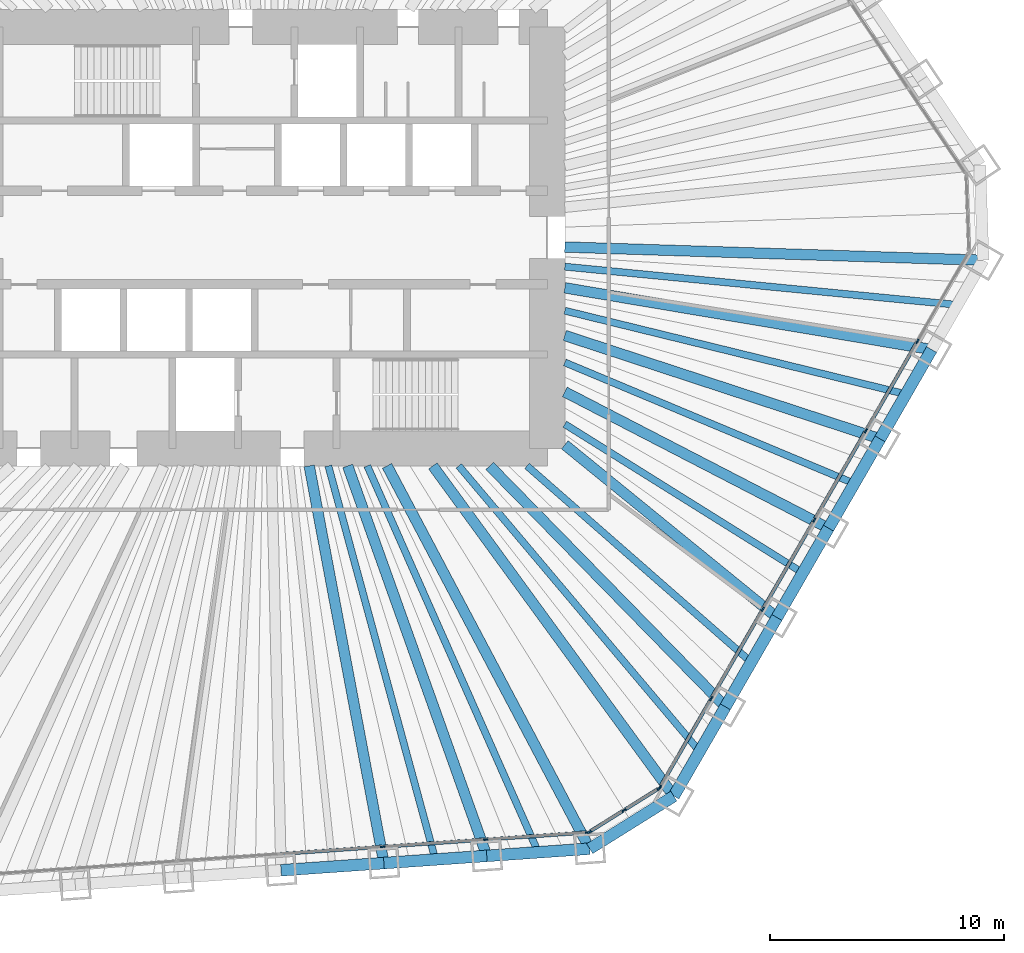
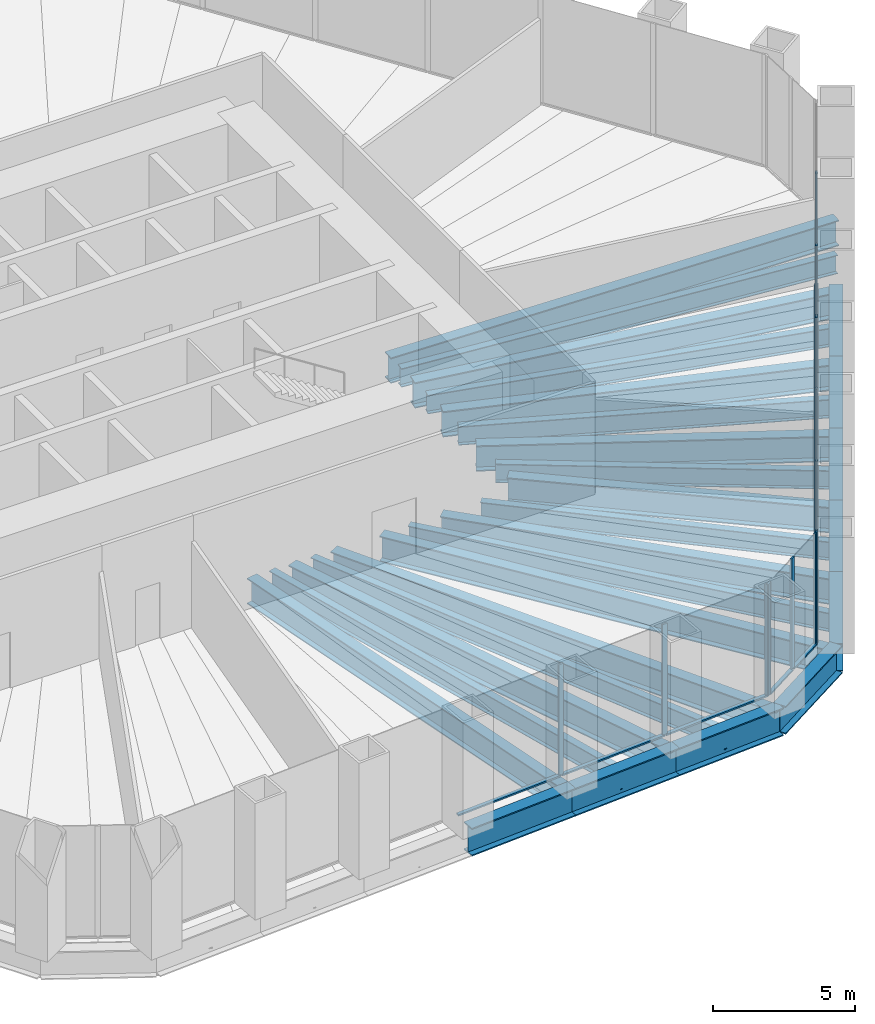
# One storey, part 4 of 13: 27 beams, 22 members, 3 elements without a shape of their own.
"""IFC4 building model written with IfcOpenShell, lengths in metres."""

from ifc_helpers import new_model, si_unit, direction, frame, origin, origin_2d, place, context, subcontext, project, spatial, rectangle, i_section, extrude, material, material_profile, profile_set, type_object, element, aggregate, save


model = new_model("IFC4")

# Units and contexts
model_context = context("Model", 3, precision=1e-05, world=origin(), true_north=direction((0.0, 1.0)))
body_context = subcontext(model_context, "Body", "Model", "MODEL_VIEW")
ifc_project = project(units=[si_unit("LENGTHUNIT", "METRE"), si_unit("AREAUNIT", "SQUARE_METRE"), si_unit("VOLUMEUNIT", "CUBIC_METRE"), si_unit("PLANEANGLEUNIT", "RADIAN"), si_unit("MASSUNIT", "GRAM", prefix="KILO")], contexts=[model_context])

# Site, building, storey
site_placement = place(None, origin())
site = spatial("IfcSite", under=ifc_project, at=site_placement, CompositionType="ELEMENT")
building_placement = place(site_placement, origin())
building = spatial("IfcBuilding", under=site, at=building_placement, Name="Qingtian Harvest Tower", CompositionType="ELEMENT")
storey_placement = place(building_placement, frame((0.0, 0.0, 47.0)))
storey = spatial("IfcBuildingStorey", under=building, at=storey_placement, Name="L09", CompositionType="ELEMENT", Elevation=47.0)

# Beams
ifc_material_1 = material(Name="Steel SM570MC", Category="steel")
ifc_material_profile_1 = material_profile(ifc_material_1, i_section(OverallWidth=0.449951171875, OverallDepth=1.10009765625, WebThickness=0.02197265625, FlangeThickness=0.044921875, at=origin_2d()), Name="H1100x450x22x45")
ifc_profile_set_1 = profile_set([ifc_material_profile_1], Name="Steel SM570MC")
beam_type_1 = type_object("IfcBeamType", Name="Corner floor beam FB8 H1100x450x22x45", PredefinedType="BEAM", material=ifc_profile_set_1)
beam_1_placement = place(storey_placement, frame((30.618408203125, -0.96728515625, -0.75), z_axis=(-0.999501426546, 0.031573696842, 0.0), x_axis=(-0.031573696842, -0.999501426546, 0.0)))
element("IfcBeam", 1, at=beam_1_placement, inside=storey, type_object=beam_type_1, Name="Floor beam FB8 SE0", PredefinedType="BEAM", context=body_context, shape_type="SweptSolid", body=[
    extrude(i_section(OverallWidth=0.449951171875, OverallDepth=1.10009765625, WebThickness=0.02197265625, FlangeThickness=0.044921875, at=origin_2d()), origin(), (0.0, 0.0, 1.0), 17.87744140625),
])
beam_2_placement = place(storey_placement, frame((17.404541015625, -23.854248046875, -0.75), z_axis=(-0.58941234871, 0.807832336062, 0.0), x_axis=(-0.807832336062, -0.58941234871, 0.0)))
element("IfcBeam", 2, at=beam_2_placement, inside=storey, type_object=beam_type_1, Name="Floor beam FB8 SE6", PredefinedType="BEAM", context=body_context, shape_type="SweptSolid", body=[
    extrude(i_section(OverallWidth=0.449951171875, OverallDepth=1.10009765625, WebThickness=0.02197265625, FlangeThickness=0.044921875, at=origin_2d()), origin(), (0.0, 0.0, 1.0), 17.45947265625),
])
beam_3_placement = place(storey_placement, frame((13.810546875, -26.10009765625, -0.75), z_axis=(-0.467705182679, 0.883884529843, 0.0), x_axis=(-0.883884529843, -0.467705182679, 0.0)))
element("IfcBeam", 3, at=beam_3_placement, inside=storey, type_object=beam_type_1, Name="Floor beam FB8 S0", PredefinedType="BEAM", context=body_context, shape_type="SweptSolid", body=[
    extrude(i_section(OverallWidth=0.449951171875, OverallDepth=1.10009765625, WebThickness=0.02197265625, FlangeThickness=0.044921875, at=origin_2d()), origin(), (0.0, 0.0, 1.0), 18.498046875),
])
ifc_material_2 = material(Name="Steel SM570MC", Category="steel")
ifc_material_profile_2 = material_profile(ifc_material_2, i_section(OverallWidth=0.449951171875, OverallDepth=1.10009765625, WebThickness=0.02197265625, FlangeThickness=0.044921875, at=origin_2d()), Name="H1100x450x22x45")
ifc_profile_set_2 = profile_set([ifc_material_profile_2], Name="Steel SM570MC")
beam_type_2 = type_object("IfcBeamType", Name="Floor beam FB1 H1100x450x22x45", PredefinedType="BEAM", material=ifc_profile_set_2)
beam_4_placement = place(storey_placement, frame((28.416015625, -4.78173828125, -0.75), z_axis=(-0.986135195489, 0.16594389479, 0.0), x_axis=(-0.16594389479, -0.986135195489, 0.0)))
element("IfcBeam", 4, at=beam_4_placement, inside=storey, type_object=beam_type_2, Name="Floor beam FB1 SE1", PredefinedType="BEAM", context=body_context, shape_type="SweptSolid", body=[
    extrude(i_section(OverallWidth=0.449951171875, OverallDepth=1.10009765625, WebThickness=0.02197265625, FlangeThickness=0.044921875, at=origin_2d()), origin(), (0.0, 0.0, 1.0), 15.88623046875),
])
beam_5_placement = place(storey_placement, frame((26.2138671875, -8.596435546875, -0.75), z_axis=(-0.950210724421, 0.311608053803, 0.0), x_axis=(-0.311608053803, -0.950210724421, 0.0)))
element("IfcBeam", 5, at=beam_5_placement, inside=storey, type_object=beam_type_2, Name="Floor beam FB1 SE2", PredefinedType="BEAM", context=body_context, shape_type="SweptSolid", body=[
    extrude(i_section(OverallWidth=0.449951171875, OverallDepth=1.10009765625, WebThickness=0.02197265625, FlangeThickness=0.044921875, at=origin_2d()), origin(), (0.0, 0.0, 1.0), 14.16943359375),
])
beam_6_placement = place(storey_placement, frame((24.011474609375, -12.410888671875, -0.75), z_axis=(-0.888349581519, 0.45916774823, 0.0), x_axis=(-0.45916774823, -0.888349581519, 0.0)))
element("IfcBeam", 6, at=beam_6_placement, inside=storey, type_object=beam_type_2, Name="Floor beam FB1 SE3", PredefinedType="BEAM", context=body_context, shape_type="SweptSolid", body=[
    extrude(i_section(OverallWidth=0.449951171875, OverallDepth=1.10009765625, WebThickness=0.02197265625, FlangeThickness=0.044921875, at=origin_2d()), origin(), (0.0, 0.0, 1.0), 12.6767578125),
])
beam_7_placement = place(storey_placement, frame((21.809326171875, -16.225341796875, -0.75), z_axis=(-0.775504415669, 0.631342142802, 0.0), x_axis=(-0.631342142802, -0.775504415669, 0.0)))
element("IfcBeam", 7, at=beam_7_placement, inside=storey, type_object=beam_type_2, Name="Floor beam FB1 SE4", PredefinedType="BEAM", context=body_context, shape_type="SweptSolid", body=[
    extrude(i_section(OverallWidth=0.449951171875, OverallDepth=1.10009765625, WebThickness=0.02197265625, FlangeThickness=0.044921875, at=origin_2d()), origin(), (0.0, 0.0, 1.0), 11.681884765625),
])
beam_8_placement = place(storey_placement, frame((19.60693359375, -20.039794921875, -0.75), z_axis=(-0.699348221539, 0.714781130858, 0.0), x_axis=(-0.714781130858, -0.699348221539, 0.0)))
element("IfcBeam", 8, at=beam_8_placement, inside=storey, type_object=beam_type_2, Name="Floor beam FB1 SE5", PredefinedType="BEAM", context=body_context, shape_type="SweptSolid", body=[
    extrude(i_section(OverallWidth=0.449951171875, OverallDepth=1.10009765625, WebThickness=0.02197265625, FlangeThickness=0.044921875, at=origin_2d()), origin(), (0.0, 0.0, 1.0), 14.395751953125),
])
beam_9_placement = place(storey_placement, frame((9.41650390625, -26.407470703125, -0.75), z_axis=(-0.33586498155, 0.941910141239, 0.0), x_axis=(-0.941910141239, -0.33586498155, 0.0)))
element("IfcBeam", 9, at=beam_9_placement, inside=storey, type_object=beam_type_2, Name="Floor beam FB1 S1", PredefinedType="BEAM", context=body_context, shape_type="SweptSolid", body=[
    extrude(i_section(OverallWidth=0.449951171875, OverallDepth=1.10009765625, WebThickness=0.02197265625, FlangeThickness=0.044921875, at=origin_2d()), origin(), (0.0, 0.0, 1.0), 17.684814453125),
])
beam_10_placement = place(storey_placement, frame((5.022705078125, -26.714599609375, -0.75), z_axis=(-0.184782942099, 0.98277935688, 0.0), x_axis=(-0.98277935688, -0.184782942099, 0.0)))
element("IfcBeam", 10, at=beam_10_placement, inside=storey, type_object=beam_type_2, Name="Floor beam FB1 S2", PredefinedType="BEAM", context=body_context, shape_type="SweptSolid", body=[
    extrude(i_section(OverallWidth=0.449951171875, OverallDepth=1.10009765625, WebThickness=0.02197265625, FlangeThickness=0.044921875, at=origin_2d()), origin(), (0.0, 0.0, 1.0), 17.261962890625),
])
ifc_material_3 = material(Name="Steel SN490B", Category="steel")
ifc_material_profile_3 = material_profile(ifc_material_3, i_section(OverallWidth=0.300048828125, OverallDepth=0.800048828125, WebThickness=0.013916015625, FlangeThickness=0.02587890625, at=origin_2d()), Name="H800x300x14x26")
ifc_profile_set_3 = profile_set([ifc_material_profile_3], Name="Steel SN490B")
beam_type_3 = type_object("IfcBeamType", Name="Floor joist J1 H800x300x14x26", PredefinedType="JOIST", material=ifc_profile_set_3)
beam_11_placement = place(storey_placement, frame((29.517333984375, -2.87451171875, -0.60009765625), z_axis=(-0.995291970786, 0.096922097011, 0.0), x_axis=(-0.096922097011, -0.995291970786, 0.0)))
element("IfcBeam", 11, at=beam_11_placement, inside=storey, type_object=beam_type_3, Name="Floor joist J1 SE0", PredefinedType="JOIST", context=body_context, shape_type="SweptSolid", body=[
    extrude(i_section(OverallWidth=0.300048828125, OverallDepth=0.800048828125, WebThickness=0.013916015625, FlangeThickness=0.02587890625, at=origin_2d()), origin(), (0.0, 0.0, 1.0), 16.8466796875),
])
beam_12_placement = place(storey_placement, frame((27.31494140625, -6.68896484375, -0.60009765625), z_axis=(-0.971301533706, 0.237851488583, 0.0), x_axis=(-0.237851488583, -0.971301533706, 0.0)))
element("IfcBeam", 12, at=beam_12_placement, inside=storey, type_object=beam_type_3, Name="Floor joist J1 SE1", PredefinedType="JOIST", context=body_context, shape_type="SweptSolid", body=[
    extrude(i_section(OverallWidth=0.300048828125, OverallDepth=0.800048828125, WebThickness=0.013916015625, FlangeThickness=0.02587890625, at=origin_2d()), origin(), (0.0, 0.0, 1.0), 14.995361328125),
])
beam_13_placement = place(storey_placement, frame((25.112548828125, -10.503662109375, -0.60009765625), z_axis=(-0.922550516103, 0.385876334125, 0.0), x_axis=(-0.385876334125, -0.922550516103, 0.0)))
element("IfcBeam", 13, at=beam_13_placement, inside=storey, type_object=beam_type_3, Name="Floor joist J1 SE2", PredefinedType="JOIST", context=body_context, shape_type="SweptSolid", body=[
    extrude(i_section(OverallWidth=0.300048828125, OverallDepth=0.800048828125, WebThickness=0.013916015625, FlangeThickness=0.02587890625, at=origin_2d()), origin(), (0.0, 0.0, 1.0), 13.400390625),
])
beam_14_placement = place(storey_placement, frame((22.910400390625, -14.318115234375, -0.60009765625), z_axis=(-0.848013185461, 0.52997512893, 0.0), x_axis=(-0.52997512893, -0.848013185461, 0.0)))
element("IfcBeam", 14, at=beam_14_placement, inside=storey, type_object=beam_type_3, Name="Floor joist J1 SE3", PredefinedType="JOIST", context=body_context, shape_type="SweptSolid", body=[
    extrude(i_section(OverallWidth=0.300048828125, OverallDepth=0.800048828125, WebThickness=0.013916015625, FlangeThickness=0.02587890625, at=origin_2d()), origin(), (0.0, 0.0, 1.0), 11.9814453125),
])
beam_15_placement = place(storey_placement, frame((20.7080078125, -18.132568359375, -0.60009765625), z_axis=(-0.75234369212, 0.658770801514, 0.0), x_axis=(-0.658770801514, -0.75234369212, 0.0)))
element("IfcBeam", 15, at=beam_15_placement, inside=storey, type_object=beam_type_3, Name="Floor joist J1 SE4", PredefinedType="JOIST", context=body_context, shape_type="SweptSolid", body=[
    extrude(i_section(OverallWidth=0.300048828125, OverallDepth=0.800048828125, WebThickness=0.013916015625, FlangeThickness=0.02587890625, at=origin_2d()), origin(), (0.0, 0.0, 1.0), 12.724609375),
])
beam_16_placement = place(storey_placement, frame((18.505859375, -21.947021484375, -0.60009765625), z_axis=(-0.644630398038, 0.76449437534, 0.0), x_axis=(-0.76449437534, -0.644630398038, 0.0)))
element("IfcBeam", 16, at=beam_16_placement, inside=storey, type_object=beam_type_3, Name="Floor joist J1 SE5", PredefinedType="JOIST", context=body_context, shape_type="SweptSolid", body=[
    extrude(i_section(OverallWidth=0.300048828125, OverallDepth=0.800048828125, WebThickness=0.013916015625, FlangeThickness=0.02587890625, at=origin_2d()), origin(), (0.0, 0.0, 1.0), 15.954345703125),
])
beam_17_placement = place(storey_placement, frame((11.613525390625, -26.25390625, -0.60009765625), z_axis=(-0.404539958959, 0.914520323233, 0.0), x_axis=(-0.914520323233, -0.404539958959, 0.0)))
element("IfcBeam", 17, at=beam_17_placement, inside=storey, type_object=beam_type_3, Name="Floor joist J1 S0", PredefinedType="JOIST", context=body_context, shape_type="SweptSolid", body=[
    extrude(i_section(OverallWidth=0.300048828125, OverallDepth=0.800048828125, WebThickness=0.013916015625, FlangeThickness=0.02587890625, at=origin_2d()), origin(), (0.0, 0.0, 1.0), 18.046630859375),
])
beam_18_placement = place(storey_placement, frame((7.2197265625, -26.56103515625, -0.60009765625), z_axis=(-0.262302659247, 0.964985655309, 0.0), x_axis=(-0.964985655309, -0.262302659247, 0.0)))
element("IfcBeam", 18, at=beam_18_placement, inside=storey, type_object=beam_type_3, Name="Floor joist J1 S1", PredefinedType="JOIST", context=body_context, shape_type="SweptSolid", body=[
    extrude(i_section(OverallWidth=0.300048828125, OverallDepth=0.800048828125, WebThickness=0.013916015625, FlangeThickness=0.02587890625, at=origin_2d()), origin(), (0.0, 0.0, 1.0), 17.421142578125),
])

# Curtain wall, members
ifc_material_4 = material(Name="Bronze-anodised aluminium curtain wall", Category="aluminium")
curtain_wall_type = type_object("IfcCurtainWallType", Name="Curtain wall CW2 farm reception", PredefinedType="USERDEFINED", material=ifc_material_4)
curtain_wall_1_placement = place(storey_placement, origin())
curtain_wall_1 = element("IfcCurtainWall", 19, at=curtain_wall_1_placement, inside=storey, type_object=curtain_wall_type, Name="Curtain wall CW2 L09 SE0-5", ObjectType="RECESSED CURTAIN WALL", PredefinedType="USERDEFINED")
ifc_material_5 = material(Name="Bronze-anodised aluminium mullion", Category="aluminium")
ifc_material_profile_4 = material_profile(ifc_material_5, rectangle(XDim=0.06494140625, YDim=0.199951171875, at=origin_2d()), Name="AL 65x200")
ifc_profile_set_4 = profile_set([ifc_material_profile_4], Name="Bronze-anodised aluminium mullion")
member_type_1 = type_object("IfcMemberType", Name="Mullion CWM 65x200", PredefinedType="MULLION", material=ifc_profile_set_4)
member_1_placement = place(storey_placement, frame((27.809814453125, -4.431884765625, 0.0), z_axis=(0.0, 0.0, 1.0), x_axis=(0.866025403784, -0.5, 0.0)))
member_1 = element("IfcMember", 20, at=member_1_placement, type_object=member_type_1, Name="CW2 mullion 2", PredefinedType="MULLION", context=body_context, shape_type="SweptSolid", body=[
    extrude(rectangle(XDim=0.06494140625, YDim=0.199951171875, at=origin_2d()), origin(), (0.0, 0.0, 1.0), 4.800048828125),
])
member_2_placement = place(storey_placement, frame((25.607666015625, -8.246337890625, 0.0), z_axis=(0.0, 0.0, 1.0), x_axis=(0.866025403784, -0.5, 0.0)))
member_2 = element("IfcMember", 21, at=member_2_placement, type_object=member_type_1, Name="CW2 mullion 3", PredefinedType="MULLION", context=body_context, shape_type="SweptSolid", body=[
    extrude(rectangle(XDim=0.06494140625, YDim=0.199951171875, at=origin_2d()), origin(), (0.0, 0.0, 1.0), 4.800048828125),
])
member_3_placement = place(storey_placement, frame((23.4052734375, -12.060791015625, 0.0), z_axis=(0.0, 0.0, 1.0), x_axis=(0.866025403784, -0.5, 0.0)))
member_3 = element("IfcMember", 22, at=member_3_placement, type_object=member_type_1, Name="CW2 mullion 4", PredefinedType="MULLION", context=body_context, shape_type="SweptSolid", body=[
    extrude(rectangle(XDim=0.06494140625, YDim=0.199951171875, at=origin_2d()), origin(), (0.0, 0.0, 1.0), 4.800048828125),
])
member_4_placement = place(storey_placement, frame((21.202880859375, -15.875244140625, 0.0), z_axis=(0.0, 0.0, 1.0), x_axis=(0.866025403784, -0.5, 0.0)))
member_4 = element("IfcMember", 23, at=member_4_placement, type_object=member_type_1, Name="CW2 mullion 5", PredefinedType="MULLION", context=body_context, shape_type="SweptSolid", body=[
    extrude(rectangle(XDim=0.06494140625, YDim=0.199951171875, at=origin_2d()), origin(), (0.0, 0.0, 1.0), 4.800048828125),
])
member_5_placement = place(storey_placement, frame((19.000732421875, -19.68994140625, 0.0), z_axis=(0.0, 0.0, 1.0), x_axis=(0.866025403784, -0.5, 0.0)))
member_5 = element("IfcMember", 24, at=member_5_placement, type_object=member_type_1, Name="CW2 mullion 6", PredefinedType="MULLION", context=body_context, shape_type="SweptSolid", body=[
    extrude(rectangle(XDim=0.06494140625, YDim=0.199951171875, at=origin_2d()), origin(), (0.0, 0.0, 1.0), 4.800048828125),
])
member_6_placement = place(storey_placement, frame((16.814697265625, -23.47607421875, 0.0), z_axis=(0.0, 0.0, 1.0), x_axis=(0.866025403784, -0.5, 0.0)))
member_6 = element("IfcMember", 25, at=member_6_placement, type_object=member_type_1, Name="CW2 mullion 7", PredefinedType="MULLION", context=body_context, shape_type="SweptSolid", body=[
    extrude(rectangle(XDim=0.06494140625, YDim=0.199951171875, at=origin_2d()), origin(), (0.0, 0.0, 1.0), 4.800048828125),
])

curtain_wall_2_placement = place(storey_placement, origin())
curtain_wall_2 = element("IfcCurtainWall", 26, at=curtain_wall_2_placement, inside=storey, type_object=curtain_wall_type, Name="Curtain wall CW2 L09 SEC", ObjectType="RECESSED CURTAIN WALL", PredefinedType="USERDEFINED")
member_7_placement = place(storey_placement, frame((16.770751953125, -23.521484375, 0.0), z_axis=(0.0, 0.0, 1.0), x_axis=(0.529919264233, -0.848048096156, 0.0)))
member_7 = element("IfcMember", 27, at=member_7_placement, type_object=member_type_1, Name="CW2 mullion 1", PredefinedType="MULLION", context=body_context, shape_type="SweptSolid", body=[
    extrude(rectangle(XDim=0.06494140625, YDim=0.199951171875, at=origin_2d()), origin(), (0.0, 0.0, 1.0), 4.800048828125),
])
member_8_placement = place(storey_placement, frame((15.280029296875, -24.453125, 0.0), z_axis=(0.0, 0.0, 1.0), x_axis=(0.529919264233, -0.848048096156, 0.0)))
member_8 = element("IfcMember", 28, at=member_8_placement, type_object=member_type_1, Name="CW2 mullion 2", PredefinedType="MULLION", context=body_context, shape_type="SweptSolid", body=[
    extrude(rectangle(XDim=0.06494140625, YDim=0.199951171875, at=origin_2d()), origin(), (0.0, 0.0, 1.0), 4.800048828125),
])
member_9_placement = place(storey_placement, frame((13.789306640625, -25.384765625, 0.0), z_axis=(0.0, 0.0, 1.0), x_axis=(0.529919264233, -0.848048096156, 0.0)))
member_9 = element("IfcMember", 29, at=member_9_placement, type_object=member_type_1, Name="CW2 mullion 3", PredefinedType="MULLION", context=body_context, shape_type="SweptSolid", body=[
    extrude(rectangle(XDim=0.06494140625, YDim=0.199951171875, at=origin_2d()), origin(), (0.0, 0.0, 1.0), 4.800048828125),
])

curtain_wall_3_placement = place(storey_placement, origin())
curtain_wall_3 = element("IfcCurtainWall", 30, at=curtain_wall_3_placement, inside=storey, type_object=curtain_wall_type, Name="Curtain wall CW2 L09 S0-5", ObjectType="RECESSED CURTAIN WALL", PredefinedType="USERDEFINED")
member_10_placement = place(storey_placement, frame((13.729248046875, -25.404296875, 0.0), z_axis=(0.0, 0.0, 1.0), x_axis=(0.069756473744, -0.99756405026, 0.0)))
member_10 = element("IfcMember", 31, at=member_10_placement, type_object=member_type_1, Name="CW2 mullion 1", PredefinedType="MULLION", context=body_context, shape_type="SweptSolid", body=[
    extrude(rectangle(XDim=0.06494140625, YDim=0.199951171875, at=origin_2d()), origin(), (0.0, 0.0, 1.0), 4.800048828125),
])
member_11_placement = place(storey_placement, frame((9.36767578125, -25.709228515625, 0.0), z_axis=(0.0, 0.0, 1.0), x_axis=(0.069756473744, -0.99756405026, 0.0)))
member_11 = element("IfcMember", 32, at=member_11_placement, type_object=member_type_1, Name="CW2 mullion 2", PredefinedType="MULLION", context=body_context, shape_type="SweptSolid", body=[
    extrude(rectangle(XDim=0.06494140625, YDim=0.199951171875, at=origin_2d()), origin(), (0.0, 0.0, 1.0), 4.800048828125),
])
member_12_placement = place(storey_placement, frame((4.973876953125, -26.016357421875, 0.0), z_axis=(0.0, 0.0, 1.0), x_axis=(0.069756473744, -0.99756405026, 0.0)))
member_12 = element("IfcMember", 33, at=member_12_placement, type_object=member_type_1, Name="CW2 mullion 3", PredefinedType="MULLION", context=body_context, shape_type="SweptSolid", body=[
    extrude(rectangle(XDim=0.06494140625, YDim=0.199951171875, at=origin_2d()), origin(), (0.0, 0.0, 1.0), 4.800048828125),
])

# Beams
ifc_material_6 = material(Name="Steel SM570MC", Category="steel")
ifc_material_profile_5 = material_profile(ifc_material_6, i_section(OverallWidth=0.5, OverallDepth=1.199951171875, WebThickness=0.02490234375, FlangeThickness=0.050048828125, at=origin_2d()), Name="H1200x500x25x50")
ifc_profile_set_5 = profile_set([ifc_material_profile_5], Name="Steel SM570MC")
beam_type_4 = type_object("IfcBeamType", Name="Spandrel beam SB1 H1200x500x25x50", PredefinedType="SPANDREL", material=ifc_profile_set_5)
beam_19_placement = place(storey_placement, frame((28.416015625, -4.78173828125, -0.60009765625), z_axis=(-0.499954356739, -0.86605175433, 0.0), x_axis=(0.86605175433, -0.499954356739, 0.0)))
element("IfcBeam", 34, at=beam_19_placement, inside=storey, type_object=beam_type_4, Name="Spandrel SB1 SE1", PredefinedType="SPANDREL", context=body_context, shape_type="SweptSolid", body=[
    extrude(i_section(OverallWidth=0.5, OverallDepth=1.199951171875, WebThickness=0.02490234375, FlangeThickness=0.050048828125, at=origin_2d()), origin(), (0.0, 0.0, 1.0), 4.40478515625),
])
for number, where, z_axis, x_axis, name in (
    (35, (26.2138671875, -8.596435546875, -0.60009765625), (-0.50001992892, -0.866013897511, 0.0), (0.866013897511, -0.50001992892, 0.0), "Spandrel SB1 SE2"),
    (36, (24.011474609375, -12.410888671875, -0.60009765625), (-0.499978356969, -0.866037899034, 0.0), (0.866037899034, -0.499978356969, 0.0), "Spandrel SB1 SE3"),
    (37, (21.809326171875, -16.225341796875, -0.60009765625), (-0.50001992892, -0.866013897511, 0.0), (0.866013897511, -0.50001992892, 0.0), "Spandrel SB1 SE4"),
    (38, (19.60693359375, -20.039794921875, -0.60009765625), (-0.50001992892, -0.866013897511, 0.0), (0.866013897511, -0.50001992892, 0.0), "Spandrel SB1 SE5"),
):
    element("IfcBeam", number, at=place(storey_placement, frame(where, z_axis=z_axis, x_axis=x_axis)), inside=storey, type_object=beam_type_4, Name=name, PredefinedType="SPANDREL", context=body_context, shape_type="SweptSolid", body=[
        extrude(i_section(OverallWidth=0.5, OverallDepth=1.199951171875, WebThickness=0.02490234375, FlangeThickness=0.050048828125, at=origin_2d()), origin(), (0.0, 0.0, 1.0), 4.404541015625),
    ])
beam_20_placement = place(storey_placement, frame((17.404541015625, -23.854248046875, -0.60009765625), z_axis=(-0.848040374245, -0.529931621675, 0.0), x_axis=(0.529931621675, -0.848040374245, 0.0)))
element("IfcBeam", 39, at=beam_20_placement, inside=storey, type_object=beam_type_4, Name="Spandrel SB1 SEC", PredefinedType="SPANDREL", context=body_context, shape_type="SweptSolid", body=[
    extrude(i_section(OverallWidth=0.5, OverallDepth=1.199951171875, WebThickness=0.02490234375, FlangeThickness=0.050048828125, at=origin_2d()), origin(), (0.0, 0.0, 1.0), 4.238037109375),
])
beam_21_placement = place(storey_placement, frame((13.810546875, -26.10009765625, -0.60009765625), z_axis=(-0.997562286406, -0.069781693443, 0.0), x_axis=(0.069781693443, -0.997562286406, 0.0)))
element("IfcBeam", 40, at=beam_21_placement, inside=storey, type_object=beam_type_4, Name="Spandrel SB1 S0", PredefinedType="SPANDREL", context=body_context, shape_type="SweptSolid", body=[
    extrude(i_section(OverallWidth=0.5, OverallDepth=1.199951171875, WebThickness=0.02490234375, FlangeThickness=0.050048828125, at=origin_2d()), origin(), (0.0, 0.0, 1.0), 4.40478515625),
])
for number, where, z_axis, x_axis, name in (
    (41, (9.41650390625, -26.407470703125, -0.60009765625), (-0.997565873714, -0.069730392239, 0.0), (0.069730392239, -0.997565873714, 0.0), "Spandrel SB1 S1"),
    (42, (5.022705078125, -26.714599609375, -0.60009765625), (-0.997562016486, -0.069785551967, 0.0), (0.069785551967, -0.997562016486, 0.0), "Spandrel SB1 S2"),
):
    element("IfcBeam", number, at=place(storey_placement, frame(where, z_axis=z_axis, x_axis=x_axis)), inside=storey, type_object=beam_type_4, Name=name, PredefinedType="SPANDREL", context=body_context, shape_type="SweptSolid", body=[
        extrude(i_section(OverallWidth=0.5, OverallDepth=1.199951171875, WebThickness=0.02490234375, FlangeThickness=0.050048828125, at=origin_2d()), origin(), (0.0, 0.0, 1.0), 4.404541015625),
    ])

# Member
ifc_material_7 = material(Name="Bronze-anodised aluminium transom", Category="aluminium")
ifc_material_profile_6 = material_profile(ifc_material_7, rectangle(XDim=0.14990234375, YDim=0.06494140625, at=origin_2d()), Name="AL 65x150")
ifc_profile_set_6 = profile_set([ifc_material_profile_6], Name="Bronze-anodised aluminium transom")
member_type_2 = type_object("IfcMemberType", Name="Transom CWT 65x150", PredefinedType="USERDEFINED", material=ifc_profile_set_6)
member_13_placement = place(storey_placement, frame((27.793701171875, -4.4599609375, 0.032470703125), z_axis=(-0.500011390128, -0.866018827591, 0.0), x_axis=(0.866018827591, -0.500011390128, 0.0)))
member_13 = element("IfcMember", 43, at=member_13_placement, type_object=member_type_2, Name="CW2 transom 2.1", ObjectType="TRANSOM", PredefinedType="USERDEFINED", context=body_context, shape_type="SweptSolid", body=[
    extrude(rectangle(XDim=0.14990234375, YDim=0.06494140625, at=origin_2d()), origin(), (0.0, 0.0, 1.0), 4.33984375),
])

member_14_placement = place(storey_placement, frame((25.59130859375, -8.2744140625, 0.032470703125), z_axis=(-0.499969196308, -0.866043187574, 0.0), x_axis=(0.866043187574, -0.499969196308, 0.0)))
member_14 = element("IfcMember", 44, at=member_14_placement, type_object=member_type_2, Name="CW2 transom 3.1", ObjectType="TRANSOM", PredefinedType="USERDEFINED", context=body_context, shape_type="SweptSolid", body=[
    extrude(rectangle(XDim=0.14990234375, YDim=0.06494140625, at=origin_2d()), origin(), (0.0, 0.0, 1.0), 4.339599609375),
])

member_15_placement = place(storey_placement, frame((23.38916015625, -12.0888671875, 0.032470703125), z_axis=(-0.500011390128, -0.866018827591, 0.0), x_axis=(0.866018827591, -0.500011390128, 0.0)))
member_15 = element("IfcMember", 45, at=member_15_placement, type_object=member_type_2, Name="CW2 transom 4.1", ObjectType="TRANSOM", PredefinedType="USERDEFINED", context=body_context, shape_type="SweptSolid", body=[
    extrude(rectangle(XDim=0.14990234375, YDim=0.06494140625, at=origin_2d()), origin(), (0.0, 0.0, 1.0), 4.33984375),
])

member_16_placement = place(storey_placement, frame((21.186767578125, -15.903564453125, 0.032470703125), z_axis=(-0.500035751442, -0.866004761696, 0.0), x_axis=(0.866004761696, -0.500035751442, 0.0)))
member_16 = element("IfcMember", 46, at=member_16_placement, type_object=member_type_2, Name="CW2 transom 5.1", ObjectType="TRANSOM", PredefinedType="USERDEFINED", context=body_context, shape_type="SweptSolid", body=[
    extrude(rectangle(XDim=0.14990234375, YDim=0.06494140625, at=origin_2d()), origin(), (0.0, 0.0, 1.0), 4.339599609375),
])

member_17_placement = place(storey_placement, frame((18.984375, -19.718017578125, 0.032470703125), z_axis=(-0.500010313095, -0.866019449435, 0.0), x_axis=(0.866019449435, -0.500010313095, 0.0)))
member_17 = element("IfcMember", 47, at=member_17_placement, type_object=member_type_2, Name="CW2 transom 6.1", ObjectType="TRANSOM", PredefinedType="USERDEFINED", context=body_context, shape_type="SweptSolid", body=[
    extrude(rectangle(XDim=0.14990234375, YDim=0.06494140625, at=origin_2d()), origin(), (0.0, 0.0, 1.0), 4.30712890625),
])

aggregate(curtain_wall_1, [member_1, member_2, member_3, member_4, member_5, member_6, member_13, member_14, member_15, member_16, member_17])

member_18_placement = place(storey_placement, frame((16.7431640625, -23.538818359375, 0.032470703125), z_axis=(-0.848063119425, -0.529895221219, 0.0), x_axis=(0.529895221219, -0.848063119425, 0.0)))
member_18 = element("IfcMember", 48, at=member_18_placement, type_object=member_type_2, Name="CW2 transom 1.1", ObjectType="TRANSOM", PredefinedType="USERDEFINED", context=body_context, shape_type="SweptSolid", body=[
    extrude(rectangle(XDim=0.14990234375, YDim=0.06494140625, at=origin_2d()), origin(), (0.0, 0.0, 1.0), 1.692626953125),
])

member_19_placement = place(storey_placement, frame((15.25244140625, -24.470458984375, 0.032470703125), z_axis=(-0.848103609743, -0.529830413568, 0.0), x_axis=(0.529830413568, -0.848103609743, 0.0)))
member_19 = element("IfcMember", 49, at=member_19_placement, type_object=member_type_2, Name="CW2 transom 2.1", ObjectType="TRANSOM", PredefinedType="USERDEFINED", context=body_context, shape_type="SweptSolid", body=[
    extrude(rectangle(XDim=0.14990234375, YDim=0.06494140625, at=origin_2d()), origin(), (0.0, 0.0, 1.0), 1.69287109375),
])

aggregate(curtain_wall_2, [member_7, member_8, member_9, member_18, member_19])

member_20_placement = place(storey_placement, frame((13.69677734375, -25.406494140625, 0.032470703125), z_axis=(-0.997566581753, -0.069720262262, 0.0), x_axis=(0.069720262262, -0.997566581753, 0.0)))
member_20 = element("IfcMember", 50, at=member_20_placement, type_object=member_type_2, Name="CW2 transom 1.1", ObjectType="TRANSOM", PredefinedType="USERDEFINED", context=body_context, shape_type="SweptSolid", body=[
    extrude(rectangle(XDim=0.14990234375, YDim=0.06494140625, at=origin_2d()), origin(), (0.0, 0.0, 1.0), 4.30712890625),
])

member_21_placement = place(storey_placement, frame((9.33544921875, -25.71142578125, 0.032470703125), z_axis=(-0.997563824095, -0.069759707979, 0.0), x_axis=(0.069759707979, -0.997563824095, 0.0)))
member_21 = element("IfcMember", 51, at=member_21_placement, type_object=member_type_2, Name="CW2 transom 2.1", ObjectType="TRANSOM", PredefinedType="USERDEFINED", context=body_context, shape_type="SweptSolid", body=[
    extrude(rectangle(XDim=0.14990234375, YDim=0.06494140625, at=origin_2d()), origin(), (0.0, 0.0, 1.0), 4.339599609375),
])

member_22_placement = place(storey_placement, frame((4.94140625, -26.018798828125, 0.032470703125), z_axis=(-0.997567737508, -0.069703723594, 0.0), x_axis=(0.069703723594, -0.997567737508, 0.0)))
member_22 = element("IfcMember", 52, at=member_22_placement, type_object=member_type_2, Name="CW2 transom 3.1", ObjectType="TRANSOM", PredefinedType="USERDEFINED", context=body_context, shape_type="SweptSolid", body=[
    extrude(rectangle(XDim=0.14990234375, YDim=0.06494140625, at=origin_2d()), origin(), (0.0, 0.0, 1.0), 4.339599609375),
])

aggregate(curtain_wall_3, [member_10, member_11, member_12, member_20, member_21, member_22])

save(model, "model.ifc")
